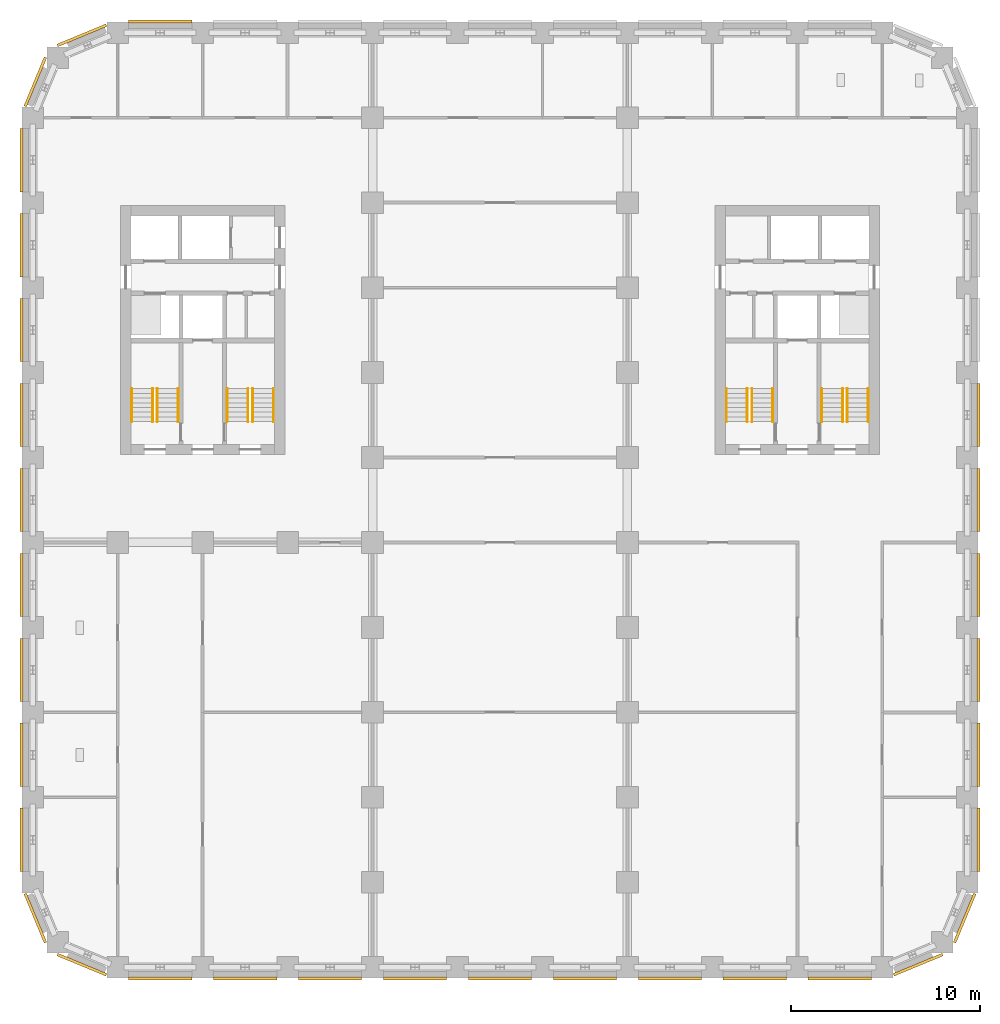
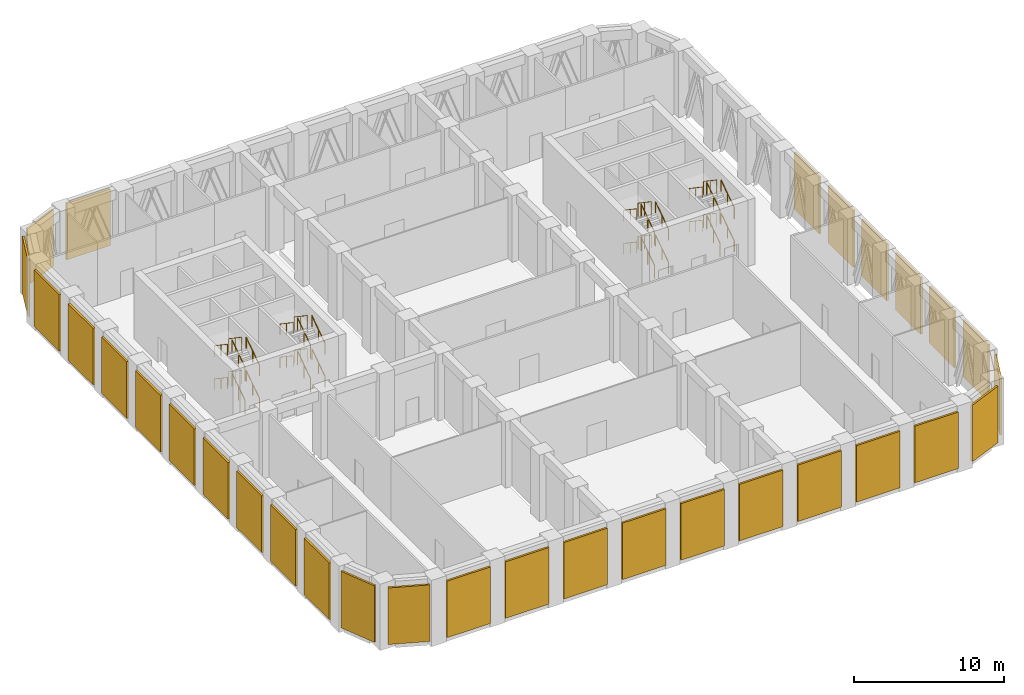
# One storey, part 8 of 11: 32 railings, 31 shading devices.
"""IFC4 building model written with IfcOpenShell, lengths in metres."""

from ifc_helpers import new_model, si_unit, direction, frame, origin, origin_2d, place, context, subcontext, project, spatial, rectangle, circle, extrude, material, type_object, element, save


model = new_model("IFC4")

# Units and contexts
model_context = context("Model", 3, precision=1e-05, world=origin(), true_north=direction((0.0, 1.0)))
body_context = subcontext(model_context, "Body", "Model", "MODEL_VIEW")
ifc_project = project(units=[si_unit("LENGTHUNIT", "METRE"), si_unit("AREAUNIT", "SQUARE_METRE"), si_unit("VOLUMEUNIT", "CUBIC_METRE"), si_unit("PLANEANGLEUNIT", "RADIAN"), si_unit("MASSUNIT", "GRAM", prefix="KILO")], contexts=[model_context])

# Site, building, storey
site_placement = place(None, origin())
site = spatial("IfcSite", under=ifc_project, at=site_placement, CompositionType="ELEMENT")
building_placement = place(site_placement, origin())
building = spatial("IfcBuilding", under=site, at=building_placement, Name="Girih Gate Residences", CompositionType="ELEMENT")
storey_placement = place(building_placement, frame((0.0, 0.0, 124.800048828125)))
storey = spatial("IfcBuildingStorey", under=building, at=storey_placement, Name="L35", CompositionType="ELEMENT", Elevation=124.800048828125)

# Shading devices
ifc_material_1 = material(Name="Aluminium louvre", Category="aluminium")
shading_device_type = type_object("IfcShadingDeviceType", Name="Plant louvre band", PredefinedType="USERDEFINED", material=ifc_material_1)
for number, where, z_axis, x_axis, name in (
    (1, (0.13720703125, 2.600830078125, 0.39990234375), (0.0, 0.0, 1.0), (0.382683432365, -0.923879532511, 0.0), "Plant louvre SW0000_0045.0"),
    (2, (2.600830078125, 0.13720703125, 0.39990234375), (0.0, 0.0, 1.0), (0.923879532511, -0.382683432365, 0.0), "Plant louvre SW0013_0013.0"),
):
    element("IfcShadingDevice", number, at=place(storey_placement, frame(where, z_axis=z_axis, x_axis=x_axis)), inside=storey, type_object=shading_device_type, Name=name, ObjectType="LOUVRE", PredefinedType="USERDEFINED", context=body_context, shape_type="SweptSolid", body=[
        extrude(rectangle(XDim=2.80419921875, YDim=0.14990234375, at=origin_2d()), origin(), (0.0, 0.0, 1.0), 4.60009765625),
    ])
for number, where, z_axis, x_axis, name in (
    (3, (6.75, -0.60009765625, 0.39990234375), (0.0, 0.0, 1.0), (1.0, 0.0, 0.0), "Plant louvre S0045_0000.0"),
    (4, (11.25, -0.60009765625, 0.39990234375), (0.0, 0.0, 1.0), (1.0, 0.0, 0.0), "Plant louvre S0045_0000.1"),
    (5, (15.75, -0.60009765625, 0.39990234375), (0.0, 0.0, 1.0), (1.0, 0.0, 0.0), "Plant louvre S0045_0000.2"),
    (6, (20.25, -0.60009765625, 0.39990234375), (0.0, 0.0, 1.0), (1.0, 0.0, 0.0), "Plant louvre S0045_0000.3"),
    (7, (24.75, -0.60009765625, 0.39990234375), (0.0, 0.0, 1.0), (1.0, 0.0, 0.0), "Plant louvre S0045_0000.4"),
    (8, (29.25, -0.60009765625, 0.39990234375), (0.0, 0.0, 1.0), (1.0, 0.0, 0.0), "Plant louvre S0045_0000.5"),
    (9, (33.75, -0.60009765625, 0.39990234375), (0.0, 0.0, 1.0), (1.0, 0.0, 0.0), "Plant louvre S0045_0000.6"),
    (10, (38.25, -0.60009765625, 0.39990234375), (0.0, 0.0, 1.0), (1.0, 0.0, 0.0), "Plant louvre S0045_0000.7"),
    (11, (42.75, -0.60009765625, 0.39990234375), (0.0, 0.0, 1.0), (1.0, 0.0, 0.0), "Plant louvre S0045_0000.8"),
):
    element("IfcShadingDevice", number, at=place(storey_placement, frame(where, z_axis=z_axis, x_axis=x_axis)), inside=storey, type_object=shading_device_type, Name=name, ObjectType="LOUVRE", PredefinedType="USERDEFINED", context=body_context, shape_type="SweptSolid", body=[
        extrude(rectangle(XDim=3.35009765625, YDim=0.14990234375, at=origin_2d()), origin(), (0.0, 0.0, 1.0), 4.60009765625),
    ])
for number, where, z_axis, x_axis, name in (
    (12, (46.899169921875, 0.13720703125, 0.39990234375), (0.0, 0.0, 1.0), (0.923879532511, 0.382683432365, 0.0), "Plant louvre SE0450_0000.0"),
    (13, (49.36279296875, 2.600830078125, 0.39990234375), (0.0, 0.0, 1.0), (0.382683432365, 0.923879532511, 0.0), "Plant louvre SE0482_0013.0"),
):
    element("IfcShadingDevice", number, at=place(storey_placement, frame(where, z_axis=z_axis, x_axis=x_axis)), inside=storey, type_object=shading_device_type, Name=name, ObjectType="LOUVRE", PredefinedType="USERDEFINED", context=body_context, shape_type="SweptSolid", body=[
        extrude(rectangle(XDim=2.80419921875, YDim=0.14990234375, at=origin_2d()), origin(), (0.0, 0.0, 1.0), 4.60009765625),
    ])
for number, where, z_axis, x_axis, name in (
    (14, (50.10009765625, 6.75, 0.39990234375), (0.0, 0.0, 1.0), (0.0, 1.0, 0.0), "Plant louvre E0495_0045.0"),
    (15, (50.10009765625, 11.25, 0.39990234375), (0.0, 0.0, 1.0), (0.0, 1.0, 0.0), "Plant louvre E0495_0045.1"),
    (16, (50.10009765625, 15.75, 0.39990234375), (0.0, 0.0, 1.0), (0.0, 1.0, 0.0), "Plant louvre E0495_0045.2"),
    (17, (50.10009765625, 20.25, 0.39990234375), (0.0, 0.0, 1.0), (0.0, 1.0, 0.0), "Plant louvre E0495_0045.3"),
    (18, (50.10009765625, 24.75, 0.39990234375), (0.0, 0.0, 1.0), (0.0, 1.0, 0.0), "Plant louvre E0495_0045.4"),
    (19, (50.10009765625, 29.25, 0.39990234375), (0.0, 0.0, 1.0), (0.0, 1.0, 0.0), "Plant louvre E0495_0045.5"),
    (20, (6.75, 50.10009765625, 0.39990234375), (0.0, 0.0, 1.0), (-1.0, 0.0, 0.0), "Plant louvre N0450_0495.8"),
):
    element("IfcShadingDevice", number, at=place(storey_placement, frame(where, z_axis=z_axis, x_axis=x_axis)), inside=storey, type_object=shading_device_type, Name=name, ObjectType="LOUVRE", PredefinedType="USERDEFINED", context=body_context, shape_type="SweptSolid", body=[
        extrude(rectangle(XDim=3.35009765625, YDim=0.14990234375, at=origin_2d()), origin(), (0.0, 0.0, 1.0), 4.60009765625),
    ])
for number, where, z_axis, x_axis, name in (
    (21, (2.600830078125, 49.36279296875, 0.39990234375), (0.0, 0.0, 1.0), (-0.923879532511, -0.382683432365, 0.0), "Plant louvre NW0045_0495.0"),
    (22, (0.13720703125, 46.899169921875, 0.39990234375), (0.0, 0.0, 1.0), (-0.382683432365, -0.923879532511, 0.0), "Plant louvre NW0013_0482.0"),
):
    element("IfcShadingDevice", number, at=place(storey_placement, frame(where, z_axis=z_axis, x_axis=x_axis)), inside=storey, type_object=shading_device_type, Name=name, ObjectType="LOUVRE", PredefinedType="USERDEFINED", context=body_context, shape_type="SweptSolid", body=[
        extrude(rectangle(XDim=2.80419921875, YDim=0.14990234375, at=origin_2d()), origin(), (0.0, 0.0, 1.0), 4.60009765625),
    ])
for number, where, z_axis, x_axis, name in (
    (23, (-0.60009765625, 42.75, 0.39990234375), (0.0, 0.0, 1.0), (0.0, -1.0, 0.0), "Plant louvre W0000_0450.0"),
    (24, (-0.60009765625, 38.25, 0.39990234375), (0.0, 0.0, 1.0), (0.0, -1.0, 0.0), "Plant louvre W0000_0450.1"),
    (25, (-0.60009765625, 33.75, 0.39990234375), (0.0, 0.0, 1.0), (0.0, -1.0, 0.0), "Plant louvre W0000_0450.2"),
    (26, (-0.60009765625, 29.25, 0.39990234375), (0.0, 0.0, 1.0), (0.0, -1.0, 0.0), "Plant louvre W0000_0450.3"),
    (27, (-0.60009765625, 24.75, 0.39990234375), (0.0, 0.0, 1.0), (0.0, -1.0, 0.0), "Plant louvre W0000_0450.4"),
    (28, (-0.60009765625, 20.25, 0.39990234375), (0.0, 0.0, 1.0), (0.0, -1.0, 0.0), "Plant louvre W0000_0450.5"),
    (29, (-0.60009765625, 15.75, 0.39990234375), (0.0, 0.0, 1.0), (0.0, -1.0, 0.0), "Plant louvre W0000_0450.6"),
    (30, (-0.60009765625, 11.25, 0.39990234375), (0.0, 0.0, 1.0), (0.0, -1.0, 0.0), "Plant louvre W0000_0450.7"),
    (31, (-0.60009765625, 6.75, 0.39990234375), (0.0, 0.0, 1.0), (0.0, -1.0, 0.0), "Plant louvre W0000_0450.8"),
):
    element("IfcShadingDevice", number, at=place(storey_placement, frame(where, z_axis=z_axis, x_axis=x_axis)), inside=storey, type_object=shading_device_type, Name=name, ObjectType="LOUVRE", PredefinedType="USERDEFINED", context=body_context, shape_type="SweptSolid", body=[
        extrude(rectangle(XDim=3.35009765625, YDim=0.14990234375, at=origin_2d()), origin(), (0.0, 0.0, 1.0), 4.60009765625),
    ])

# Railings
ifc_material_2 = material(Name="Stainless steel", Category="steel")
railing_type_1 = type_object("IfcRailingType", Name="Stair guard 1100", PredefinedType="GUARDRAIL", material=ifc_material_2)
railing_1_placement = place(storey_placement, frame((6.60009765625, 28.89990234375, 0.168701171875)))
element("IfcRailing", 32, at=railing_1_placement, inside=storey, type_object=railing_type_1, Name="L35 ST-W1 stair guard 1", PredefinedType="GUARDRAIL", context=body_context, shape_type="SweptSolid", body=[
    extrude(circle(Radius=0.02392578125, at=origin_2d()), frame((0.0, 0.0, 1.076171875), z_axis=(0.0, 0.828870122254, 0.559441078608), x_axis=(-1.0, 0.0, 0.0)), (0.0, 0.0, 1.0), 2.111328125),
    extrude(circle(Radius=0.02099609375, at=origin_2d()), origin(), (0.0, 0.0, 1.0), 1.052001953125),
    extrude(circle(Radius=0.02099609375, at=origin_2d()), frame((0.0, 0.875, 0.590576171875)), (0.0, 0.0, 1.0), 1.052001953125),
    extrude(circle(Radius=0.02099609375, at=origin_2d()), frame((0.0, 1.75, 1.18115234375)), (0.0, 0.0, 1.0), 1.052001953125),
])
railing_2_placement = place(storey_placement, frame((6.35009765625, 30.64990234375, 1.518798828125)))
element("IfcRailing", 33, at=railing_2_placement, inside=storey, type_object=railing_type_1, Name="L35 ST-W1 stair guard 2", PredefinedType="GUARDRAIL", context=body_context, shape_type="SweptSolid", body=[
    extrude(circle(Radius=0.02392578125, at=origin_2d()), frame((0.0, 0.0, 1.076171875), z_axis=(0.0, -0.828870122254, 0.559441078608), x_axis=(1.0, 0.0, 0.0)), (0.0, 0.0, 1.0), 2.111328125),
    extrude(circle(Radius=0.02099609375, at=origin_2d()), origin(), (0.0, 0.0, 1.0), 1.052001953125),
    extrude(circle(Radius=0.02099609375, at=origin_2d()), frame((0.0, -0.875, 0.590576171875)), (0.0, 0.0, 1.0), 1.052001953125),
    extrude(circle(Radius=0.02099609375, at=origin_2d()), frame((0.0, -1.75, 1.18115234375)), (0.0, 0.0, 1.0), 1.052001953125),
])
railing_3_placement = place(storey_placement, frame((6.60009765625, 28.89990234375, 2.86865234375)))
element("IfcRailing", 34, at=railing_3_placement, inside=storey, type_object=railing_type_1, Name="L35 ST-W1 stair guard 3", PredefinedType="GUARDRAIL", context=body_context, shape_type="SweptSolid", body=[
    extrude(circle(Radius=0.02392578125, at=origin_2d()), frame((0.0, 0.0, 1.076171875), z_axis=(0.0, 0.828816501605, 0.559520514965), x_axis=(-1.0, 0.0, 0.0)), (0.0, 0.0, 1.0), 2.111328125),
    extrude(circle(Radius=0.02099609375, at=origin_2d()), origin(), (0.0, 0.0, 1.0), 1.052001953125),
    extrude(circle(Radius=0.02099609375, at=origin_2d()), frame((0.0, 0.875, 0.5908203125)), (0.0, 0.0, 1.0), 1.052001953125),
    extrude(circle(Radius=0.02099609375, at=origin_2d()), frame((0.0, 1.75, 1.181396484375)), (0.0, 0.0, 1.0), 1.052001953125),
])
railing_4_placement = place(storey_placement, frame((6.35009765625, 30.64990234375, 4.21875)))
element("IfcRailing", 35, at=railing_4_placement, inside=storey, type_object=railing_type_1, Name="L35 ST-W1 stair guard 4", PredefinedType="GUARDRAIL", context=body_context, shape_type="SweptSolid", body=[
    extrude(circle(Radius=0.02392578125, at=origin_2d()), frame((0.0, 0.0, 1.076171875), z_axis=(0.0, -0.828870122254, 0.559441078608), x_axis=(1.0, 0.0, 0.0)), (0.0, 0.0, 1.0), 2.111328125),
    extrude(circle(Radius=0.02099609375, at=origin_2d()), origin(), (0.0, 0.0, 1.0), 1.052001953125),
    extrude(circle(Radius=0.02099609375, at=origin_2d()), frame((0.0, -0.875, 0.590576171875)), (0.0, 0.0, 1.0), 1.052001953125),
    extrude(circle(Radius=0.02099609375, at=origin_2d()), frame((0.0, -1.75, 1.18115234375)), (0.0, 0.0, 1.0), 1.052001953125),
])
railing_5_placement = place(storey_placement, frame((11.64990234375, 28.89990234375, 0.168701171875)))
element("IfcRailing", 36, at=railing_5_placement, inside=storey, type_object=railing_type_1, Name="L35 ST-W2 stair guard 1", PredefinedType="GUARDRAIL", context=body_context, shape_type="SweptSolid", body=[
    extrude(circle(Radius=0.02392578125, at=origin_2d()), frame((0.0, 0.0, 1.076171875), z_axis=(0.0, 0.828870122254, 0.559441078608), x_axis=(-1.0, 0.0, 0.0)), (0.0, 0.0, 1.0), 2.111328125),
    extrude(circle(Radius=0.02099609375, at=origin_2d()), origin(), (0.0, 0.0, 1.0), 1.052001953125),
    extrude(circle(Radius=0.02099609375, at=origin_2d()), frame((0.0, 0.875, 0.590576171875)), (0.0, 0.0, 1.0), 1.052001953125),
    extrude(circle(Radius=0.02099609375, at=origin_2d()), frame((0.0, 1.75, 1.18115234375)), (0.0, 0.0, 1.0), 1.052001953125),
])
railing_6_placement = place(storey_placement, frame((11.39990234375, 30.64990234375, 1.518798828125)))
element("IfcRailing", 37, at=railing_6_placement, inside=storey, type_object=railing_type_1, Name="L35 ST-W2 stair guard 2", PredefinedType="GUARDRAIL", context=body_context, shape_type="SweptSolid", body=[
    extrude(circle(Radius=0.02392578125, at=origin_2d()), frame((0.0, 0.0, 1.076171875), z_axis=(0.0, -0.828870122254, 0.559441078608), x_axis=(1.0, 0.0, 0.0)), (0.0, 0.0, 1.0), 2.111328125),
    extrude(circle(Radius=0.02099609375, at=origin_2d()), origin(), (0.0, 0.0, 1.0), 1.052001953125),
    extrude(circle(Radius=0.02099609375, at=origin_2d()), frame((0.0, -0.875, 0.590576171875)), (0.0, 0.0, 1.0), 1.052001953125),
    extrude(circle(Radius=0.02099609375, at=origin_2d()), frame((0.0, -1.75, 1.18115234375)), (0.0, 0.0, 1.0), 1.052001953125),
])
railing_7_placement = place(storey_placement, frame((11.64990234375, 28.89990234375, 2.86865234375)))
element("IfcRailing", 38, at=railing_7_placement, inside=storey, type_object=railing_type_1, Name="L35 ST-W2 stair guard 3", PredefinedType="GUARDRAIL", context=body_context, shape_type="SweptSolid", body=[
    extrude(circle(Radius=0.02392578125, at=origin_2d()), frame((0.0, 0.0, 1.076171875), z_axis=(0.0, 0.828816501605, 0.559520514965), x_axis=(-1.0, 0.0, 0.0)), (0.0, 0.0, 1.0), 2.111328125),
    extrude(circle(Radius=0.02099609375, at=origin_2d()), origin(), (0.0, 0.0, 1.0), 1.052001953125),
    extrude(circle(Radius=0.02099609375, at=origin_2d()), frame((0.0, 0.875, 0.5908203125)), (0.0, 0.0, 1.0), 1.052001953125),
    extrude(circle(Radius=0.02099609375, at=origin_2d()), frame((0.0, 1.75, 1.181396484375)), (0.0, 0.0, 1.0), 1.052001953125),
])
railing_8_placement = place(storey_placement, frame((11.39990234375, 30.64990234375, 4.21875)))
element("IfcRailing", 39, at=railing_8_placement, inside=storey, type_object=railing_type_1, Name="L35 ST-W2 stair guard 4", PredefinedType="GUARDRAIL", context=body_context, shape_type="SweptSolid", body=[
    extrude(circle(Radius=0.02392578125, at=origin_2d()), frame((0.0, 0.0, 1.076171875), z_axis=(0.0, -0.828870122254, 0.559441078608), x_axis=(1.0, 0.0, 0.0)), (0.0, 0.0, 1.0), 2.111328125),
    extrude(circle(Radius=0.02099609375, at=origin_2d()), origin(), (0.0, 0.0, 1.0), 1.052001953125),
    extrude(circle(Radius=0.02099609375, at=origin_2d()), frame((0.0, -0.875, 0.590576171875)), (0.0, 0.0, 1.0), 1.052001953125),
    extrude(circle(Radius=0.02099609375, at=origin_2d()), frame((0.0, -1.75, 1.18115234375)), (0.0, 0.0, 1.0), 1.052001953125),
])
railing_9_placement = place(storey_placement, frame((43.14990234375, 28.89990234375, 0.168701171875)))
element("IfcRailing", 40, at=railing_9_placement, inside=storey, type_object=railing_type_1, Name="L35 ST-E1 stair guard 1", PredefinedType="GUARDRAIL", context=body_context, shape_type="SweptSolid", body=[
    extrude(circle(Radius=0.02392578125, at=origin_2d()), frame((0.0, 0.0, 1.076171875), z_axis=(0.0, 0.828870122254, 0.559441078608), x_axis=(-1.0, 0.0, 0.0)), (0.0, 0.0, 1.0), 2.111328125),
    extrude(circle(Radius=0.02099609375, at=origin_2d()), origin(), (0.0, 0.0, 1.0), 1.052001953125),
    extrude(circle(Radius=0.02099609375, at=origin_2d()), frame((0.0, 0.875, 0.590576171875)), (0.0, 0.0, 1.0), 1.052001953125),
    extrude(circle(Radius=0.02099609375, at=origin_2d()), frame((0.0, 1.75, 1.18115234375)), (0.0, 0.0, 1.0), 1.052001953125),
])
railing_10_placement = place(storey_placement, frame((42.89990234375, 30.64990234375, 1.518798828125)))
element("IfcRailing", 41, at=railing_10_placement, inside=storey, type_object=railing_type_1, Name="L35 ST-E1 stair guard 2", PredefinedType="GUARDRAIL", context=body_context, shape_type="SweptSolid", body=[
    extrude(circle(Radius=0.02392578125, at=origin_2d()), frame((0.0, 0.0, 1.076171875), z_axis=(0.0, -0.828870122254, 0.559441078608), x_axis=(1.0, 0.0, 0.0)), (0.0, 0.0, 1.0), 2.111328125),
    extrude(circle(Radius=0.02099609375, at=origin_2d()), origin(), (0.0, 0.0, 1.0), 1.052001953125),
    extrude(circle(Radius=0.02099609375, at=origin_2d()), frame((0.0, -0.875, 0.590576171875)), (0.0, 0.0, 1.0), 1.052001953125),
    extrude(circle(Radius=0.02099609375, at=origin_2d()), frame((0.0, -1.75, 1.18115234375)), (0.0, 0.0, 1.0), 1.052001953125),
])
railing_11_placement = place(storey_placement, frame((43.14990234375, 28.89990234375, 2.86865234375)))
element("IfcRailing", 42, at=railing_11_placement, inside=storey, type_object=railing_type_1, Name="L35 ST-E1 stair guard 3", PredefinedType="GUARDRAIL", context=body_context, shape_type="SweptSolid", body=[
    extrude(circle(Radius=0.02392578125, at=origin_2d()), frame((0.0, 0.0, 1.076171875), z_axis=(0.0, 0.828816501605, 0.559520514965), x_axis=(-1.0, 0.0, 0.0)), (0.0, 0.0, 1.0), 2.111328125),
    extrude(circle(Radius=0.02099609375, at=origin_2d()), origin(), (0.0, 0.0, 1.0), 1.052001953125),
    extrude(circle(Radius=0.02099609375, at=origin_2d()), frame((0.0, 0.875, 0.5908203125)), (0.0, 0.0, 1.0), 1.052001953125),
    extrude(circle(Radius=0.02099609375, at=origin_2d()), frame((0.0, 1.75, 1.181396484375)), (0.0, 0.0, 1.0), 1.052001953125),
])
railing_12_placement = place(storey_placement, frame((42.89990234375, 30.64990234375, 4.21875)))
element("IfcRailing", 43, at=railing_12_placement, inside=storey, type_object=railing_type_1, Name="L35 ST-E1 stair guard 4", PredefinedType="GUARDRAIL", context=body_context, shape_type="SweptSolid", body=[
    extrude(circle(Radius=0.02392578125, at=origin_2d()), frame((0.0, 0.0, 1.076171875), z_axis=(0.0, -0.828870122254, 0.559441078608), x_axis=(1.0, 0.0, 0.0)), (0.0, 0.0, 1.0), 2.111328125),
    extrude(circle(Radius=0.02099609375, at=origin_2d()), origin(), (0.0, 0.0, 1.0), 1.052001953125),
    extrude(circle(Radius=0.02099609375, at=origin_2d()), frame((0.0, -0.875, 0.590576171875)), (0.0, 0.0, 1.0), 1.052001953125),
    extrude(circle(Radius=0.02099609375, at=origin_2d()), frame((0.0, -1.75, 1.18115234375)), (0.0, 0.0, 1.0), 1.052001953125),
])
railing_13_placement = place(storey_placement, frame((38.10009765625, 28.89990234375, 0.168701171875)))
element("IfcRailing", 44, at=railing_13_placement, inside=storey, type_object=railing_type_1, Name="L35 ST-E2 stair guard 1", PredefinedType="GUARDRAIL", context=body_context, shape_type="SweptSolid", body=[
    extrude(circle(Radius=0.02392578125, at=origin_2d()), frame((0.0, 0.0, 1.076171875), z_axis=(0.0, 0.828870122254, 0.559441078608), x_axis=(-1.0, 0.0, 0.0)), (0.0, 0.0, 1.0), 2.111328125),
    extrude(circle(Radius=0.02099609375, at=origin_2d()), origin(), (0.0, 0.0, 1.0), 1.052001953125),
    extrude(circle(Radius=0.02099609375, at=origin_2d()), frame((0.0, 0.875, 0.590576171875)), (0.0, 0.0, 1.0), 1.052001953125),
    extrude(circle(Radius=0.02099609375, at=origin_2d()), frame((0.0, 1.75, 1.18115234375)), (0.0, 0.0, 1.0), 1.052001953125),
])
railing_14_placement = place(storey_placement, frame((37.85009765625, 30.64990234375, 1.518798828125)))
element("IfcRailing", 45, at=railing_14_placement, inside=storey, type_object=railing_type_1, Name="L35 ST-E2 stair guard 2", PredefinedType="GUARDRAIL", context=body_context, shape_type="SweptSolid", body=[
    extrude(circle(Radius=0.02392578125, at=origin_2d()), frame((0.0, 0.0, 1.076171875), z_axis=(0.0, -0.828870122254, 0.559441078608), x_axis=(1.0, 0.0, 0.0)), (0.0, 0.0, 1.0), 2.111328125),
    extrude(circle(Radius=0.02099609375, at=origin_2d()), origin(), (0.0, 0.0, 1.0), 1.052001953125),
    extrude(circle(Radius=0.02099609375, at=origin_2d()), frame((0.0, -0.875, 0.590576171875)), (0.0, 0.0, 1.0), 1.052001953125),
    extrude(circle(Radius=0.02099609375, at=origin_2d()), frame((0.0, -1.75, 1.18115234375)), (0.0, 0.0, 1.0), 1.052001953125),
])
railing_15_placement = place(storey_placement, frame((38.10009765625, 28.89990234375, 2.86865234375)))
element("IfcRailing", 46, at=railing_15_placement, inside=storey, type_object=railing_type_1, Name="L35 ST-E2 stair guard 3", PredefinedType="GUARDRAIL", context=body_context, shape_type="SweptSolid", body=[
    extrude(circle(Radius=0.02392578125, at=origin_2d()), frame((0.0, 0.0, 1.076171875), z_axis=(0.0, 0.828816501605, 0.559520514965), x_axis=(-1.0, 0.0, 0.0)), (0.0, 0.0, 1.0), 2.111328125),
    extrude(circle(Radius=0.02099609375, at=origin_2d()), origin(), (0.0, 0.0, 1.0), 1.052001953125),
    extrude(circle(Radius=0.02099609375, at=origin_2d()), frame((0.0, 0.875, 0.5908203125)), (0.0, 0.0, 1.0), 1.052001953125),
    extrude(circle(Radius=0.02099609375, at=origin_2d()), frame((0.0, 1.75, 1.181396484375)), (0.0, 0.0, 1.0), 1.052001953125),
])
railing_16_placement = place(storey_placement, frame((37.85009765625, 30.64990234375, 4.21875)))
element("IfcRailing", 47, at=railing_16_placement, inside=storey, type_object=railing_type_1, Name="L35 ST-E2 stair guard 4", PredefinedType="GUARDRAIL", context=body_context, shape_type="SweptSolid", body=[
    extrude(circle(Radius=0.02392578125, at=origin_2d()), frame((0.0, 0.0, 1.076171875), z_axis=(0.0, -0.828870122254, 0.559441078608), x_axis=(1.0, 0.0, 0.0)), (0.0, 0.0, 1.0), 2.111328125),
    extrude(circle(Radius=0.02099609375, at=origin_2d()), origin(), (0.0, 0.0, 1.0), 1.052001953125),
    extrude(circle(Radius=0.02099609375, at=origin_2d()), frame((0.0, -0.875, 0.590576171875)), (0.0, 0.0, 1.0), 1.052001953125),
    extrude(circle(Radius=0.02099609375, at=origin_2d()), frame((0.0, -1.75, 1.18115234375)), (0.0, 0.0, 1.0), 1.052001953125),
])
railing_type_2 = type_object("IfcRailingType", Name="Stair handrail 900", PredefinedType="HANDRAIL", material=ifc_material_2)
railing_17_placement = place(storey_placement, frame((7.699951171875, 28.89990234375, 0.168701171875)))
element("IfcRailing", 48, at=railing_17_placement, inside=storey, type_object=railing_type_2, Name="L35 ST-W1 stair handrail 1", PredefinedType="HANDRAIL", context=body_context, shape_type="SweptSolid", body=[
    extrude(circle(Radius=0.02392578125, at=origin_2d()), frame((0.0, 0.0, 0.8857421875), z_axis=(0.0, 0.828870122254, 0.559441078608), x_axis=(-1.0, 0.0, 0.0)), (0.0, 0.0, 1.0), 2.111328125),
    extrude(circle(Radius=0.02099609375, at=origin_2d()), origin(), (0.0, 0.0, 1.0), 0.86181640625),
    extrude(circle(Radius=0.02099609375, at=origin_2d()), frame((0.0, 0.875, 0.590576171875)), (0.0, 0.0, 1.0), 0.86181640625),
    extrude(circle(Radius=0.02099609375, at=origin_2d()), frame((0.0, 1.75, 1.18115234375)), (0.0, 0.0, 1.0), 0.86181640625),
])
railing_18_placement = place(storey_placement, frame((5.25, 30.64990234375, 1.518798828125)))
element("IfcRailing", 49, at=railing_18_placement, inside=storey, type_object=railing_type_2, Name="L35 ST-W1 stair handrail 2", PredefinedType="HANDRAIL", context=body_context, shape_type="SweptSolid", body=[
    extrude(circle(Radius=0.02392578125, at=origin_2d()), frame((0.0, 0.0, 0.8857421875), z_axis=(0.0, -0.828870122254, 0.559441078608), x_axis=(1.0, 0.0, 0.0)), (0.0, 0.0, 1.0), 2.111328125),
    extrude(circle(Radius=0.02099609375, at=origin_2d()), origin(), (0.0, 0.0, 1.0), 0.86181640625),
    extrude(circle(Radius=0.02099609375, at=origin_2d()), frame((0.0, -0.875, 0.590576171875)), (0.0, 0.0, 1.0), 0.86181640625),
    extrude(circle(Radius=0.02099609375, at=origin_2d()), frame((0.0, -1.75, 1.18115234375)), (0.0, 0.0, 1.0), 0.86181640625),
])
railing_19_placement = place(storey_placement, frame((7.699951171875, 28.89990234375, 2.86865234375)))
element("IfcRailing", 50, at=railing_19_placement, inside=storey, type_object=railing_type_2, Name="L35 ST-W1 stair handrail 3", PredefinedType="HANDRAIL", context=body_context, shape_type="SweptSolid", body=[
    extrude(circle(Radius=0.02392578125, at=origin_2d()), frame((0.0, 0.0, 0.8857421875), z_axis=(0.0, 0.828816501605, 0.559520514965), x_axis=(-1.0, 0.0, 0.0)), (0.0, 0.0, 1.0), 2.111328125),
    extrude(circle(Radius=0.02099609375, at=origin_2d()), origin(), (0.0, 0.0, 1.0), 0.86181640625),
    extrude(circle(Radius=0.02099609375, at=origin_2d()), frame((0.0, 0.875, 0.5908203125)), (0.0, 0.0, 1.0), 0.86181640625),
    extrude(circle(Radius=0.02099609375, at=origin_2d()), frame((0.0, 1.75, 1.181396484375)), (0.0, 0.0, 1.0), 0.86181640625),
])
railing_20_placement = place(storey_placement, frame((5.25, 30.64990234375, 4.21875)))
element("IfcRailing", 51, at=railing_20_placement, inside=storey, type_object=railing_type_2, Name="L35 ST-W1 stair handrail 4", PredefinedType="HANDRAIL", context=body_context, shape_type="SweptSolid", body=[
    extrude(circle(Radius=0.02392578125, at=origin_2d()), frame((0.0, 0.0, 0.8857421875), z_axis=(0.0, -0.828870122254, 0.559441078608), x_axis=(1.0, 0.0, 0.0)), (0.0, 0.0, 1.0), 2.111328125),
    extrude(circle(Radius=0.02099609375, at=origin_2d()), origin(), (0.0, 0.0, 1.0), 0.86181640625),
    extrude(circle(Radius=0.02099609375, at=origin_2d()), frame((0.0, -0.875, 0.590576171875)), (0.0, 0.0, 1.0), 0.86181640625),
    extrude(circle(Radius=0.02099609375, at=origin_2d()), frame((0.0, -1.75, 1.18115234375)), (0.0, 0.0, 1.0), 0.86181640625),
])
railing_21_placement = place(storey_placement, frame((12.75, 28.89990234375, 0.168701171875)))
element("IfcRailing", 52, at=railing_21_placement, inside=storey, type_object=railing_type_2, Name="L35 ST-W2 stair handrail 1", PredefinedType="HANDRAIL", context=body_context, shape_type="SweptSolid", body=[
    extrude(circle(Radius=0.02392578125, at=origin_2d()), frame((0.0, 0.0, 0.8857421875), z_axis=(0.0, 0.828870122254, 0.559441078608), x_axis=(-1.0, 0.0, 0.0)), (0.0, 0.0, 1.0), 2.111328125),
    extrude(circle(Radius=0.02099609375, at=origin_2d()), origin(), (0.0, 0.0, 1.0), 0.86181640625),
    extrude(circle(Radius=0.02099609375, at=origin_2d()), frame((0.0, 0.875, 0.590576171875)), (0.0, 0.0, 1.0), 0.86181640625),
    extrude(circle(Radius=0.02099609375, at=origin_2d()), frame((0.0, 1.75, 1.18115234375)), (0.0, 0.0, 1.0), 0.86181640625),
])
railing_22_placement = place(storey_placement, frame((10.300048828125, 30.64990234375, 1.518798828125)))
element("IfcRailing", 53, at=railing_22_placement, inside=storey, type_object=railing_type_2, Name="L35 ST-W2 stair handrail 2", PredefinedType="HANDRAIL", context=body_context, shape_type="SweptSolid", body=[
    extrude(circle(Radius=0.02392578125, at=origin_2d()), frame((0.0, 0.0, 0.8857421875), z_axis=(0.0, -0.828870122254, 0.559441078608), x_axis=(1.0, 0.0, 0.0)), (0.0, 0.0, 1.0), 2.111328125),
    extrude(circle(Radius=0.02099609375, at=origin_2d()), origin(), (0.0, 0.0, 1.0), 0.86181640625),
    extrude(circle(Radius=0.02099609375, at=origin_2d()), frame((0.0, -0.875, 0.590576171875)), (0.0, 0.0, 1.0), 0.86181640625),
    extrude(circle(Radius=0.02099609375, at=origin_2d()), frame((0.0, -1.75, 1.18115234375)), (0.0, 0.0, 1.0), 0.86181640625),
])
railing_23_placement = place(storey_placement, frame((12.75, 28.89990234375, 2.86865234375)))
element("IfcRailing", 54, at=railing_23_placement, inside=storey, type_object=railing_type_2, Name="L35 ST-W2 stair handrail 3", PredefinedType="HANDRAIL", context=body_context, shape_type="SweptSolid", body=[
    extrude(circle(Radius=0.02392578125, at=origin_2d()), frame((0.0, 0.0, 0.8857421875), z_axis=(0.0, 0.828816501605, 0.559520514965), x_axis=(-1.0, 0.0, 0.0)), (0.0, 0.0, 1.0), 2.111328125),
    extrude(circle(Radius=0.02099609375, at=origin_2d()), origin(), (0.0, 0.0, 1.0), 0.86181640625),
    extrude(circle(Radius=0.02099609375, at=origin_2d()), frame((0.0, 0.875, 0.5908203125)), (0.0, 0.0, 1.0), 0.86181640625),
    extrude(circle(Radius=0.02099609375, at=origin_2d()), frame((0.0, 1.75, 1.181396484375)), (0.0, 0.0, 1.0), 0.86181640625),
])
railing_24_placement = place(storey_placement, frame((10.300048828125, 30.64990234375, 4.21875)))
element("IfcRailing", 55, at=railing_24_placement, inside=storey, type_object=railing_type_2, Name="L35 ST-W2 stair handrail 4", PredefinedType="HANDRAIL", context=body_context, shape_type="SweptSolid", body=[
    extrude(circle(Radius=0.02392578125, at=origin_2d()), frame((0.0, 0.0, 0.8857421875), z_axis=(0.0, -0.828870122254, 0.559441078608), x_axis=(1.0, 0.0, 0.0)), (0.0, 0.0, 1.0), 2.111328125),
    extrude(circle(Radius=0.02099609375, at=origin_2d()), origin(), (0.0, 0.0, 1.0), 0.86181640625),
    extrude(circle(Radius=0.02099609375, at=origin_2d()), frame((0.0, -0.875, 0.590576171875)), (0.0, 0.0, 1.0), 0.86181640625),
    extrude(circle(Radius=0.02099609375, at=origin_2d()), frame((0.0, -1.75, 1.18115234375)), (0.0, 0.0, 1.0), 0.86181640625),
])
railing_25_placement = place(storey_placement, frame((44.25, 28.89990234375, 0.168701171875)))
element("IfcRailing", 56, at=railing_25_placement, inside=storey, type_object=railing_type_2, Name="L35 ST-E1 stair handrail 1", PredefinedType="HANDRAIL", context=body_context, shape_type="SweptSolid", body=[
    extrude(circle(Radius=0.02392578125, at=origin_2d()), frame((0.0, 0.0, 0.8857421875), z_axis=(0.0, 0.828870122254, 0.559441078608), x_axis=(-1.0, 0.0, 0.0)), (0.0, 0.0, 1.0), 2.111328125),
    extrude(circle(Radius=0.02099609375, at=origin_2d()), origin(), (0.0, 0.0, 1.0), 0.86181640625),
    extrude(circle(Radius=0.02099609375, at=origin_2d()), frame((0.0, 0.875, 0.590576171875)), (0.0, 0.0, 1.0), 0.86181640625),
    extrude(circle(Radius=0.02099609375, at=origin_2d()), frame((0.0, 1.75, 1.18115234375)), (0.0, 0.0, 1.0), 0.86181640625),
])
railing_26_placement = place(storey_placement, frame((41.800048828125, 30.64990234375, 1.518798828125)))
element("IfcRailing", 57, at=railing_26_placement, inside=storey, type_object=railing_type_2, Name="L35 ST-E1 stair handrail 2", PredefinedType="HANDRAIL", context=body_context, shape_type="SweptSolid", body=[
    extrude(circle(Radius=0.02392578125, at=origin_2d()), frame((0.0, 0.0, 0.8857421875), z_axis=(0.0, -0.828870122254, 0.559441078608), x_axis=(1.0, 0.0, 0.0)), (0.0, 0.0, 1.0), 2.111328125),
    extrude(circle(Radius=0.02099609375, at=origin_2d()), origin(), (0.0, 0.0, 1.0), 0.86181640625),
    extrude(circle(Radius=0.02099609375, at=origin_2d()), frame((0.0, -0.875, 0.590576171875)), (0.0, 0.0, 1.0), 0.86181640625),
    extrude(circle(Radius=0.02099609375, at=origin_2d()), frame((0.0, -1.75, 1.18115234375)), (0.0, 0.0, 1.0), 0.86181640625),
])
railing_27_placement = place(storey_placement, frame((44.25, 28.89990234375, 2.86865234375)))
element("IfcRailing", 58, at=railing_27_placement, inside=storey, type_object=railing_type_2, Name="L35 ST-E1 stair handrail 3", PredefinedType="HANDRAIL", context=body_context, shape_type="SweptSolid", body=[
    extrude(circle(Radius=0.02392578125, at=origin_2d()), frame((0.0, 0.0, 0.8857421875), z_axis=(0.0, 0.828816501605, 0.559520514965), x_axis=(-1.0, 0.0, 0.0)), (0.0, 0.0, 1.0), 2.111328125),
    extrude(circle(Radius=0.02099609375, at=origin_2d()), origin(), (0.0, 0.0, 1.0), 0.86181640625),
    extrude(circle(Radius=0.02099609375, at=origin_2d()), frame((0.0, 0.875, 0.5908203125)), (0.0, 0.0, 1.0), 0.86181640625),
    extrude(circle(Radius=0.02099609375, at=origin_2d()), frame((0.0, 1.75, 1.181396484375)), (0.0, 0.0, 1.0), 0.86181640625),
])
railing_28_placement = place(storey_placement, frame((41.800048828125, 30.64990234375, 4.21875)))
element("IfcRailing", 59, at=railing_28_placement, inside=storey, type_object=railing_type_2, Name="L35 ST-E1 stair handrail 4", PredefinedType="HANDRAIL", context=body_context, shape_type="SweptSolid", body=[
    extrude(circle(Radius=0.02392578125, at=origin_2d()), frame((0.0, 0.0, 0.8857421875), z_axis=(0.0, -0.828870122254, 0.559441078608), x_axis=(1.0, 0.0, 0.0)), (0.0, 0.0, 1.0), 2.111328125),
    extrude(circle(Radius=0.02099609375, at=origin_2d()), origin(), (0.0, 0.0, 1.0), 0.86181640625),
    extrude(circle(Radius=0.02099609375, at=origin_2d()), frame((0.0, -0.875, 0.590576171875)), (0.0, 0.0, 1.0), 0.86181640625),
    extrude(circle(Radius=0.02099609375, at=origin_2d()), frame((0.0, -1.75, 1.18115234375)), (0.0, 0.0, 1.0), 0.86181640625),
])
railing_29_placement = place(storey_placement, frame((39.199951171875, 28.89990234375, 0.168701171875)))
element("IfcRailing", 60, at=railing_29_placement, inside=storey, type_object=railing_type_2, Name="L35 ST-E2 stair handrail 1", PredefinedType="HANDRAIL", context=body_context, shape_type="SweptSolid", body=[
    extrude(circle(Radius=0.02392578125, at=origin_2d()), frame((0.0, 0.0, 0.8857421875), z_axis=(0.0, 0.828870122254, 0.559441078608), x_axis=(-1.0, 0.0, 0.0)), (0.0, 0.0, 1.0), 2.111328125),
    extrude(circle(Radius=0.02099609375, at=origin_2d()), origin(), (0.0, 0.0, 1.0), 0.86181640625),
    extrude(circle(Radius=0.02099609375, at=origin_2d()), frame((0.0, 0.875, 0.590576171875)), (0.0, 0.0, 1.0), 0.86181640625),
    extrude(circle(Radius=0.02099609375, at=origin_2d()), frame((0.0, 1.75, 1.18115234375)), (0.0, 0.0, 1.0), 0.86181640625),
])
railing_30_placement = place(storey_placement, frame((36.75, 30.64990234375, 1.518798828125)))
element("IfcRailing", 61, at=railing_30_placement, inside=storey, type_object=railing_type_2, Name="L35 ST-E2 stair handrail 2", PredefinedType="HANDRAIL", context=body_context, shape_type="SweptSolid", body=[
    extrude(circle(Radius=0.02392578125, at=origin_2d()), frame((0.0, 0.0, 0.8857421875), z_axis=(0.0, -0.828870122254, 0.559441078608), x_axis=(1.0, 0.0, 0.0)), (0.0, 0.0, 1.0), 2.111328125),
    extrude(circle(Radius=0.02099609375, at=origin_2d()), origin(), (0.0, 0.0, 1.0), 0.86181640625),
    extrude(circle(Radius=0.02099609375, at=origin_2d()), frame((0.0, -0.875, 0.590576171875)), (0.0, 0.0, 1.0), 0.86181640625),
    extrude(circle(Radius=0.02099609375, at=origin_2d()), frame((0.0, -1.75, 1.18115234375)), (0.0, 0.0, 1.0), 0.86181640625),
])
railing_31_placement = place(storey_placement, frame((39.199951171875, 28.89990234375, 2.86865234375)))
element("IfcRailing", 62, at=railing_31_placement, inside=storey, type_object=railing_type_2, Name="L35 ST-E2 stair handrail 3", PredefinedType="HANDRAIL", context=body_context, shape_type="SweptSolid", body=[
    extrude(circle(Radius=0.02392578125, at=origin_2d()), frame((0.0, 0.0, 0.8857421875), z_axis=(0.0, 0.828816501605, 0.559520514965), x_axis=(-1.0, 0.0, 0.0)), (0.0, 0.0, 1.0), 2.111328125),
    extrude(circle(Radius=0.02099609375, at=origin_2d()), origin(), (0.0, 0.0, 1.0), 0.86181640625),
    extrude(circle(Radius=0.02099609375, at=origin_2d()), frame((0.0, 0.875, 0.5908203125)), (0.0, 0.0, 1.0), 0.86181640625),
    extrude(circle(Radius=0.02099609375, at=origin_2d()), frame((0.0, 1.75, 1.181396484375)), (0.0, 0.0, 1.0), 0.86181640625),
])
railing_32_placement = place(storey_placement, frame((36.75, 30.64990234375, 4.21875)))
element("IfcRailing", 63, at=railing_32_placement, inside=storey, type_object=railing_type_2, Name="L35 ST-E2 stair handrail 4", PredefinedType="HANDRAIL", context=body_context, shape_type="SweptSolid", body=[
    extrude(circle(Radius=0.02392578125, at=origin_2d()), frame((0.0, 0.0, 0.8857421875), z_axis=(0.0, -0.828870122254, 0.559441078608), x_axis=(1.0, 0.0, 0.0)), (0.0, 0.0, 1.0), 2.111328125),
    extrude(circle(Radius=0.02099609375, at=origin_2d()), origin(), (0.0, 0.0, 1.0), 0.86181640625),
    extrude(circle(Radius=0.02099609375, at=origin_2d()), frame((0.0, -0.875, 0.590576171875)), (0.0, 0.0, 1.0), 0.86181640625),
    extrude(circle(Radius=0.02099609375, at=origin_2d()), frame((0.0, -1.75, 1.18115234375)), (0.0, 0.0, 1.0), 0.86181640625),
])

save(model, "model.ifc")
